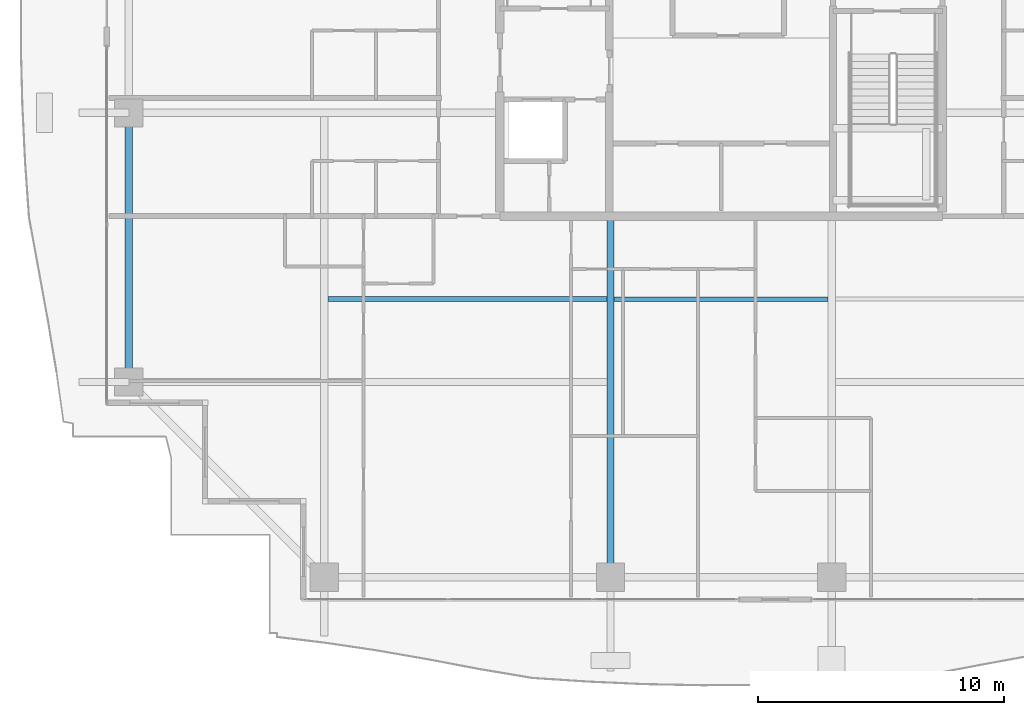
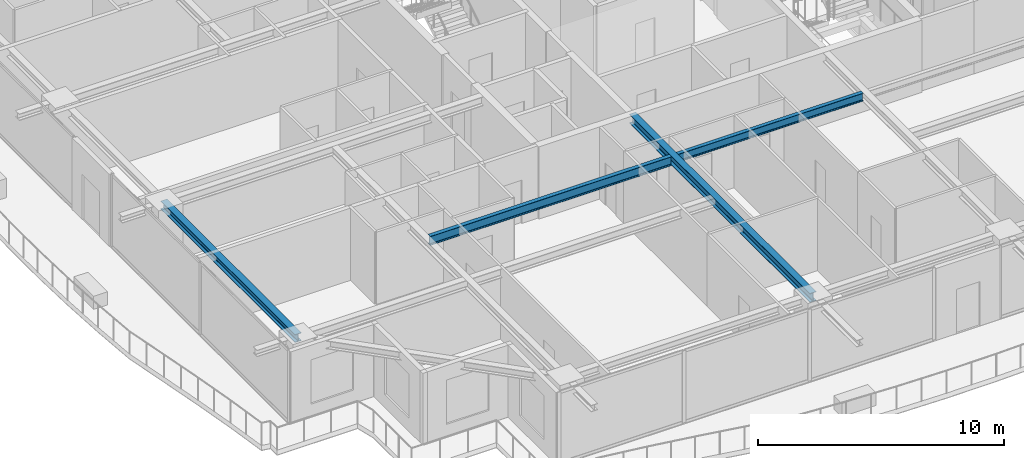
# One storey, part 7 of 36: 4 beams.
"""IFC4 building model written with IfcOpenShell, lengths in metres."""

from ifc_helpers import new_model, si_unit, direction, frame, origin, origin_2d, place, context, subcontext, project, spatial, i_section, extrude, source, transform, mapped, material, material_profile, profile_set, type_object, element, save


model = new_model("IFC4")

# Units and contexts
model_context = context("Model", 3, precision=1e-05, world=origin(), true_north=direction((0.0, 1.0)))
body_context = subcontext(model_context, "Body", "Model", "MODEL_VIEW")
ifc_project = project(units=[si_unit("LENGTHUNIT", "METRE"), si_unit("AREAUNIT", "SQUARE_METRE"), si_unit("VOLUMEUNIT", "CUBIC_METRE"), si_unit("PLANEANGLEUNIT", "RADIAN"), si_unit("MASSUNIT", "GRAM", prefix="KILO")], contexts=[model_context])

# Site, building, storey
site_placement = place(None, origin())
site = spatial("IfcSite", under=ifc_project, at=site_placement, CompositionType="ELEMENT")
building_placement = place(site_placement, origin())
building = spatial("IfcBuilding", under=site, at=building_placement, Name="Serunith Strait Residences", CompositionType="ELEMENT")
storey_placement = place(building_placement, frame((0.0, 0.0, 256.64990234375)))
storey = spatial("IfcBuildingStorey", under=building, at=storey_placement, Name="L64", CompositionType="ELEMENT", Elevation=256.64990234375)

# Beams
ifc_material = material(Name="Steel S355J2", Category="steel")
ifc_material_profile_1 = material_profile(ifc_material, i_section(OverallWidth=0.179931640625, OverallDepth=0.39990234375, WebThickness=0.008544921875, FlangeThickness=0.013427734375, FilletRadius=0.02099609375, at=origin_2d()), Name="IPE 400")
ifc_profile_set_1 = profile_set([ifc_material_profile_1], Name="Steel S355J2")
beam_type_1 = type_object("IfcBeamType", Name="BM-IPE400", PredefinedType="JOIST", material=ifc_profile_set_1)
shared_shape_1 = source(origin(), body_context, "Body", "SweptSolid", [
    extrude(i_section(OverallWidth=0.179931640625, OverallDepth=0.39990234375, WebThickness=0.008544921875, FlangeThickness=0.013427734375, FilletRadius=0.02099609375, at=origin_2d()), origin(), (0.0, 0.0, 1.0), 8.699951171875),
])
beam_1_placement = place(storey_placement, frame((28.050048828125, 13.425048828125, 3.38720703125), z_axis=(1.0, 0.0, 0.0), x_axis=(0.0, 1.0, 0.0)))
element("IfcBeam", 1, at=beam_1_placement, inside=storey, type_object=beam_type_1, Name="L64 Composite Floor Joist 02", PredefinedType="JOIST", context=body_context, shape_type="MappedRepresentation", body=[
    mapped(shared_shape_1, transform((0.0, 0.0, 0.0), scale=1.0)),
])
ifc_material_profile_2 = material_profile(ifc_material, i_section(OverallWidth=0.300048828125, OverallDepth=0.449951171875, WebThickness=0.013916015625, FlangeThickness=0.02587890625, FilletRadius=0.027099609375, at=origin_2d()), Name="HEB 450")
ifc_profile_set_2 = profile_set([ifc_material_profile_2], Name="Steel S355J2")
beam_type_2 = type_object("IfcBeamType", Name="BM-HEB450", PredefinedType="BEAM", material=ifc_profile_set_2)
shared_shape_2 = source(origin(), body_context, "Body", "SweptSolid", [
    extrude(i_section(OverallWidth=0.300048828125, OverallDepth=0.449951171875, WebThickness=0.013916015625, FlangeThickness=0.02587890625, FilletRadius=0.027099609375, at=origin_2d()), origin(), (0.0, 0.0, 1.0), 14.699951171875),
])
beam_2_placement = place(storey_placement, frame((27.89990234375, 16.800048828125, 3.362060546875), z_axis=(0.0, -1.0, 0.0), x_axis=(1.0, 0.0, 0.0)))
element("IfcBeam", 2, at=beam_2_placement, inside=storey, type_object=beam_type_2, Name="L64 Primary Floor Girder TC-S2", PredefinedType="BEAM", context=body_context, shape_type="MappedRepresentation", body=[
    mapped(shared_shape_2, transform((0.0, 0.0, 0.0), scale=1.0)),
])
ifc_material_profile_3 = material_profile(ifc_material, i_section(OverallWidth=0.300048828125, OverallDepth=0.39990234375, WebThickness=0.013427734375, FlangeThickness=0.02392578125, FilletRadius=0.027099609375, at=origin_2d()), Name="HEB 400")
ifc_profile_set_3 = profile_set([ifc_material_profile_3], Name="Steel S355J2")
beam_type_3 = type_object("IfcBeamType", Name="BM-HEB400", PredefinedType="BEAM", material=ifc_profile_set_3)
shared_shape_3 = source(origin(), body_context, "Body", "SweptSolid", [
    extrude(i_section(OverallWidth=0.300048828125, OverallDepth=0.39990234375, WebThickness=0.013427734375, FlangeThickness=0.02392578125, FilletRadius=0.027099609375, at=origin_2d()), origin(), (0.0, 0.0, 1.0), 10.949951171875),
])
beam_3_placement = place(storey_placement, frame((8.300048828125, 21.0, 3.38720703125), z_axis=(0.0, -1.0, 0.0), x_axis=(1.0, 0.0, 0.0)))
element("IfcBeam", 3, at=beam_3_placement, inside=storey, type_object=beam_type_3, Name="L64 Perimeter Ring Beam 15", PredefinedType="BEAM", context=body_context, shape_type="MappedRepresentation", body=[
    mapped(shared_shape_3, transform((0.0, 0.0, 0.0), scale=1.0)),
])
ifc_material_profile_4 = material_profile(ifc_material, i_section(OverallWidth=0.18994140625, OverallDepth=0.449951171875, WebThickness=0.009521484375, FlangeThickness=0.0146484375, FilletRadius=0.02099609375, at=origin_2d()), Name="IPE 450")
ifc_profile_set_4 = profile_set([ifc_material_profile_4], Name="Steel S355J2")
beam_type_4 = type_object("IfcBeamType", Name="BM-IPE450", PredefinedType="JOIST", material=ifc_profile_set_4)
shared_shape_4 = source(origin(), body_context, "Body", "SweptSolid", [
    extrude(i_section(OverallWidth=0.18994140625, OverallDepth=0.449951171875, WebThickness=0.009521484375, FlangeThickness=0.0146484375, FilletRadius=0.02099609375, at=origin_2d()), origin(), (0.0, 0.0, 1.0), 11.35009765625),
])
beam_4_placement = place(storey_placement, frame((16.39990234375, 13.425048828125, 3.362060546875), z_axis=(1.0, 0.0, 0.0), x_axis=(0.0, 1.0, 0.0)))
element("IfcBeam", 4, at=beam_4_placement, inside=storey, type_object=beam_type_4, Name="L64 Composite Floor Joist 01", PredefinedType="JOIST", context=body_context, shape_type="MappedRepresentation", body=[
    mapped(shared_shape_4, transform((0.0, 0.0, 0.0), scale=1.0)),
])

save(model, "model.ifc")
